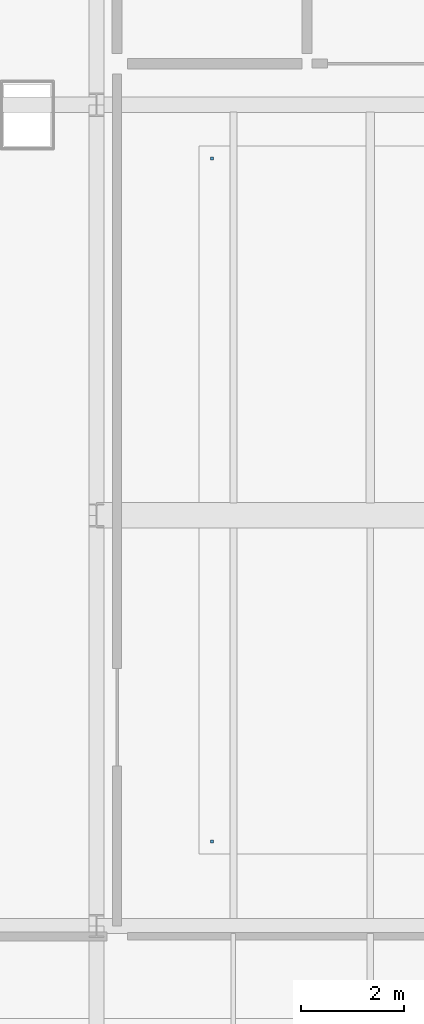
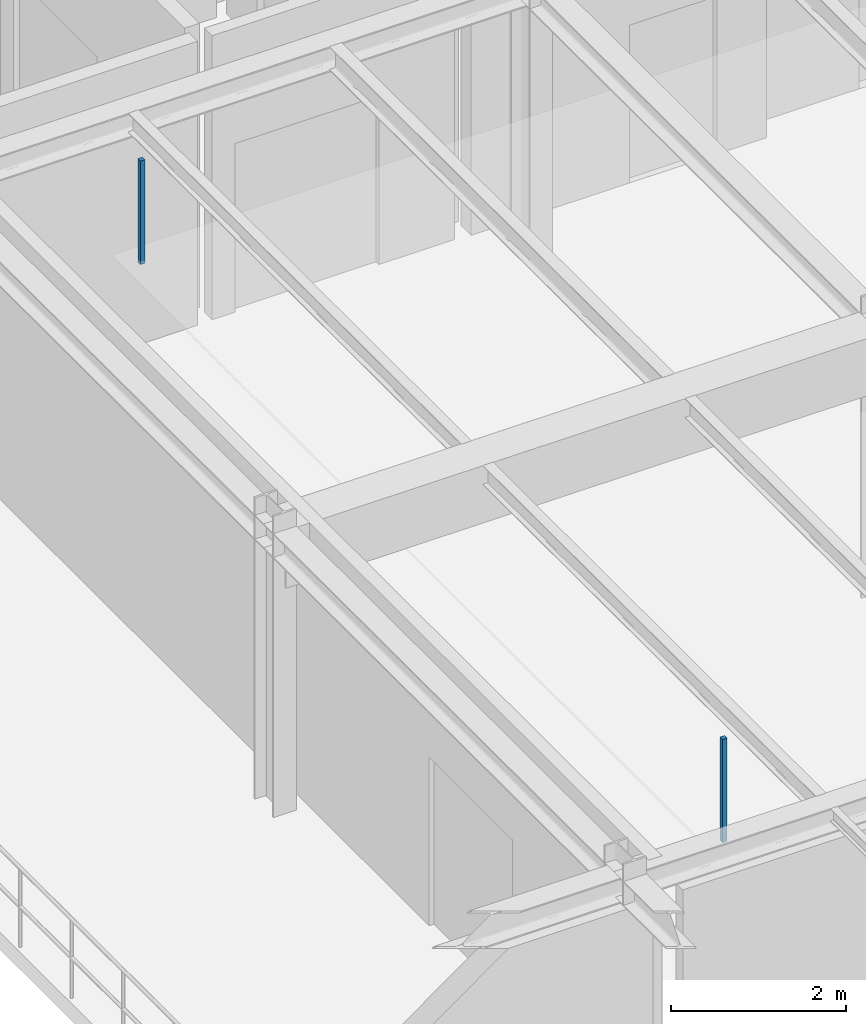
# One storey, part 100 of 124: 2 discrete accessories.
"""IFC4 building model written with IfcOpenShell, lengths in metres."""

from ifc_helpers import new_model, si_unit, direction, frame, origin, origin_2d, place, context, subcontext, project, spatial, rectangle, extrude, material, type_object, element, save


model = new_model("IFC4")

# Units and contexts
model_context = context("Model", 3, precision=1e-05, world=origin(), true_north=direction((0.0, 1.0)))
body_context = subcontext(model_context, "Body", "Model", "MODEL_VIEW")
ifc_project = project(units=[si_unit("LENGTHUNIT", "METRE"), si_unit("AREAUNIT", "SQUARE_METRE"), si_unit("VOLUMEUNIT", "CUBIC_METRE"), si_unit("PLANEANGLEUNIT", "RADIAN"), si_unit("MASSUNIT", "GRAM", prefix="KILO")], contexts=[model_context])

# Site, building, storey
site_placement = place(None, origin())
site = spatial("IfcSite", under=ifc_project, at=site_placement, CompositionType="ELEMENT")
building_placement = place(site_placement, origin())
building = spatial("IfcBuilding", under=site, at=building_placement, Name="Sundkrona Museum", CompositionType="ELEMENT")
storey_placement = place(building_placement, frame((0.0, 0.0, 17.60009765625)))
storey = spatial("IfcBuildingStorey", under=building, at=storey_placement, Name="L03", CompositionType="ELEMENT", Elevation=17.60009765625)

# Discrete accessories
ifc_material = material(Name="Stainless Steel EN 1.4404 Cleat", Category="steel")
discrete_accessory_type = type_object("IfcDiscreteAccessoryType", Name="BRK-FIN-01", PredefinedType="BRACKET", material=ifc_material)
for number, where, z_axis, x_axis, name in (
    (1, (154.25, 17.64990234375, 2.550048828125), (0.0, 0.0, 1.0), (1.0, 0.0, 0.0), "L03 Ornithology Exhibition Hall Ceiling Hanger 1"),
    (2, (154.25, 30.949951171875, 2.550048828125), (0.0, 0.0, 1.0), (1.0, 0.0, 0.0), "L03 Ornithology Exhibition Hall Ceiling Hanger 4"),
):
    element("IfcDiscreteAccessory", number, at=place(storey_placement, frame(where, z_axis=z_axis, x_axis=x_axis)), inside=storey, type_object=discrete_accessory_type, Name=name, PredefinedType="BRACKET", context=body_context, shape_type="SweptSolid", body=[
        extrude(rectangle(XDim=0.06005859375, YDim=0.06005859375, at=origin_2d()), origin(), (0.0, 0.0, 1.0), 1.43994140625),
    ])

save(model, "model.ifc")
